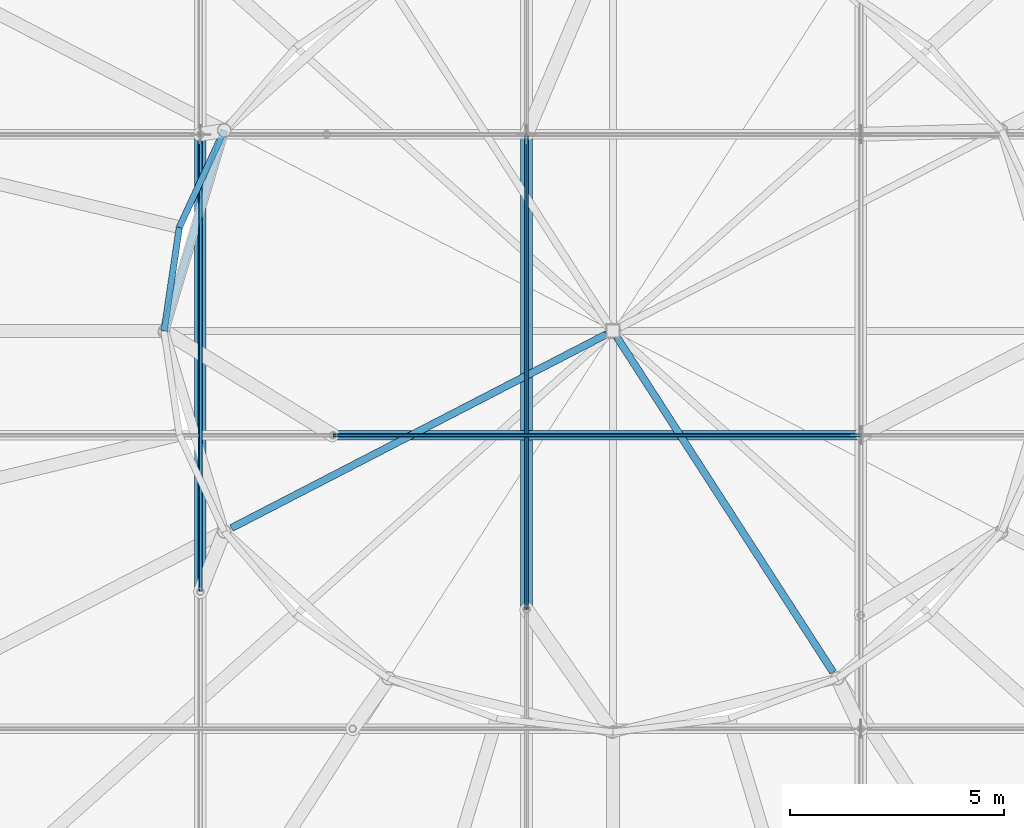
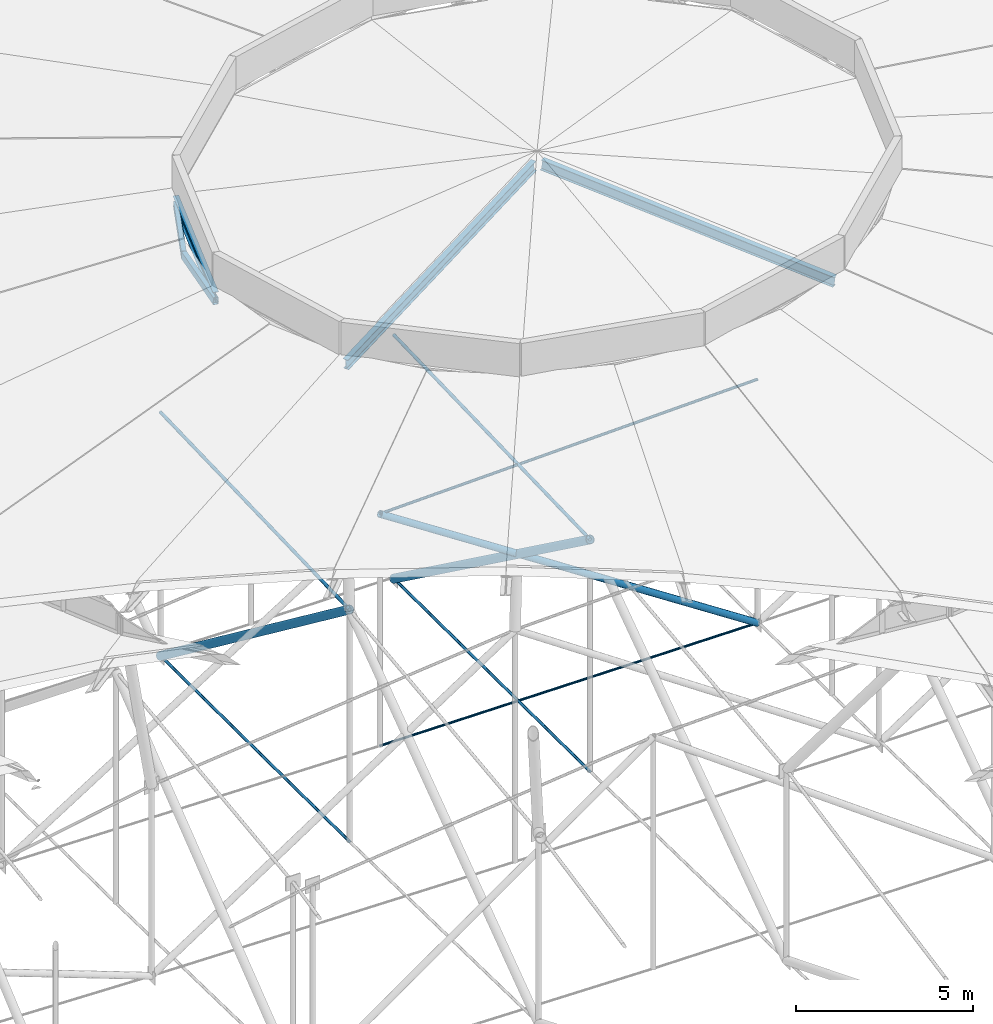
# One storey, part 52 of 173: 11 members, 3 beams.
"""IFC4 building model written with IfcOpenShell, lengths in metres."""

from ifc_helpers import new_model, si_unit, direction, frame, origin, origin_2d, place, context, subcontext, project, spatial, hollow_rectangle, circle, hollow_circle, i_section, extrude, material, material_profile, profile_set, type_object, element, save


model = new_model("IFC4")

# Units and contexts
model_context = context("Model", 3, precision=1e-05, world=origin(), true_north=direction((0.0, 1.0)))
body_context = subcontext(model_context, "Body", "Model", "MODEL_VIEW")
ifc_project = project(units=[si_unit("LENGTHUNIT", "METRE"), si_unit("AREAUNIT", "SQUARE_METRE"), si_unit("VOLUMEUNIT", "CUBIC_METRE"), si_unit("PLANEANGLEUNIT", "RADIAN"), si_unit("MASSUNIT", "GRAM", prefix="KILO")], contexts=[model_context])

# Site, building, storey
site_placement = place(None, origin())
site = spatial("IfcSite", under=ifc_project, at=site_placement, CompositionType="ELEMENT")
building_placement = place(site_placement, origin())
building = spatial("IfcBuilding", under=site, at=building_placement, Name="Glasvene Arena", CompositionType="ELEMENT")
storey_placement = place(building_placement, frame((0.0, 0.0, 28.800048828125)))
storey = spatial("IfcBuildingStorey", under=building, at=storey_placement, Name="RF", CompositionType="ELEMENT", Elevation=28.800048828125)

# Beams
ifc_material_1 = material(Name="Steel S355J2", Category="steel")
ifc_material_profile_1 = material_profile(ifc_material_1, i_section(OverallWidth=0.17138671875, OverallDepth=0.35498046875, WebThickness=0.00732421875, FlangeThickness=0.011474609375, FilletRadius=0.01025390625, at=origin_2d()), Name="UKB 356x171x51")
ifc_profile_set_1 = profile_set([ifc_material_profile_1], Name="Steel S355J2")
beam_type = type_object("IfcBeamType", Name="BM-JOIST-356", PredefinedType="JOIST", material=ifc_profile_set_1)
beam_1_placement = place(storey_placement, frame((77.106689453125, 73.10009765625, 13.079833984375), z_axis=(-0.286726945205, -0.958012347986, 0.0), x_axis=(0.958012347986, -0.286726945205, 0.0)))
element("IfcBeam", 1, at=beam_1_placement, inside=storey, type_object=beam_type, Name="Crown lantern perimeter ring beam 06", PredefinedType="JOIST", context=body_context, shape_type="SweptSolid", body=[
    extrude(i_section(OverallWidth=0.17138671875, OverallDepth=0.35498046875, WebThickness=0.00732421875, FlangeThickness=0.011474609375, FilletRadius=0.01025390625, at=origin_2d()), origin(), (0.0, 0.0, 1.0), 4.90625),
])
beam_2_placement = place(storey_placement, frame((77.292236328125, 63.79833984375, 12.994873046875), z_axis=(0.883173800121, 0.456247427714, 0.108822440166), x_axis=(-0.458973175956, 0.888450124516, 0.0)))
element("IfcBeam", 2, at=beam_2_placement, inside=storey, type_object=beam_type, Name="Crown lantern hip rafter 14", PredefinedType="JOIST", context=body_context, shape_type="SweptSolid", body=[
    extrude(i_section(OverallWidth=0.17138671875, OverallDepth=0.35498046875, WebThickness=0.00732421875, FlangeThickness=0.011474609375, FilletRadius=0.01025390625, at=origin_2d()), origin(), (0.0, 0.0, 1.0), 9.925048828125),
])
beam_3_placement = place(storey_placement, frame((91.338134765625, 60.43701171875, 12.994873046875), z_axis=(-0.538561769573, 0.834679637658, 0.115156948699), x_axis=(-0.840269691907, -0.542168649833, 0.0)))
element("IfcBeam", 3, at=beam_3_placement, inside=storey, type_object=beam_type, Name="Crown lantern hip rafter 20", PredefinedType="JOIST", context=body_context, shape_type="SweptSolid", body=[
    extrude(i_section(OverallWidth=0.17138671875, OverallDepth=0.35498046875, WebThickness=0.00732421875, FlangeThickness=0.011474609375, FilletRadius=0.01025390625, at=origin_2d()), origin(), (0.0, 0.0, 1.0), 9.379150390625),
])

# Members
ifc_material_2 = material(Name="High-strength steel spiral strand S460", Category="steel")
ifc_material_profile_2 = material_profile(ifc_material_2, circle(Radius=0.052490234375, at=origin_2d()), Name="LCSS D105")
ifc_profile_set_2 = profile_set([ifc_material_profile_2], Name="High-strength steel spiral strand S460")
member_type_1 = type_object("IfcMemberType", Name="MB-CABLE-105", PredefinedType="USERDEFINED", material=ifc_profile_set_2)
member_1_placement = place(storey_placement, frame((84.17822265625, 61.888427734375, 5.6904296875), z_axis=(0.0, 0.999560377256, 0.029648814829), x_axis=(-1.0, 0.0, 0.0)))
element("IfcMember", 4, at=member_1_placement, inside=storey, type_object=member_type_1, Name="Upper lens roof cable NS06-04", ObjectType="ROOF CABLE", PredefinedType="USERDEFINED", context=body_context, shape_type="SweptSolid", body=[
    extrude(circle(Radius=0.052490234375, at=origin_2d()), origin(), (0.0, 0.0, 1.0), 11.116455078125),
])
member_2_placement = place(storey_placement, frame((76.54931640625, 62.300537109375, 5.6904296875), z_axis=(0.0, 0.999525883852, 0.030789730592), x_axis=(-1.0, 0.0, 0.0)))
element("IfcMember", 5, at=member_2_placement, inside=storey, type_object=member_type_1, Name="Upper lens roof cable NS07-04", ObjectType="ROOF CABLE", PredefinedType="USERDEFINED", context=body_context, shape_type="SweptSolid", body=[
    extrude(circle(Radius=0.052490234375, at=origin_2d()), origin(), (0.0, 0.0, 1.0), 10.70458984375),
])
ifc_material_profile_3 = material_profile(ifc_material_2, circle(Radius=0.03759765625, at=origin_2d()), Name="LCSS D75")
ifc_profile_set_3 = profile_set([ifc_material_profile_3], Name="High-strength steel spiral strand S460")
member_type_2 = type_object("IfcMemberType", Name="MB-CABLE-75", PredefinedType="USERDEFINED", material=ifc_profile_set_3)
member_3_placement = place(storey_placement, frame((79.65380859375, 65.96044921875, -2.328125), z_axis=(0.999982985584, 0.0, -0.005833398868), x_axis=(0.0, 1.0, 0.0)))
element("IfcMember", 6, at=member_3_placement, inside=storey, type_object=member_type_2, Name="Lower stabilization roof cable EW03-04", ObjectType="ROOF CABLE", PredefinedType="USERDEFINED", context=body_context, shape_type="SweptSolid", body=[
    extrude(circle(Radius=0.03759765625, at=origin_2d()), origin(), (0.0, 0.0, 1.0), 12.346435546875),
])
ifc_material_profile_4 = material_profile(ifc_material_2, circle(Radius=0.044921875, at=origin_2d()), Name="LCSS D90")
ifc_profile_set_4 = profile_set([ifc_material_profile_4], Name="High-strength steel spiral strand S460")
member_type_3 = type_object("IfcMemberType", Name="MB-CABLE-90", PredefinedType="USERDEFINED", material=ifc_profile_set_4)
member_4_placement = place(storey_placement, frame((84.17822265625, 61.888427734375, -2.328125), z_axis=(0.0, 0.999978994674, -0.00648152843), x_axis=(-1.0, 0.0, 0.0)))
element("IfcMember", 7, at=member_4_placement, inside=storey, type_object=member_type_3, Name="Lower stabilization roof cable NS06-04", ObjectType="ROOF CABLE", PredefinedType="USERDEFINED", context=body_context, shape_type="SweptSolid", body=[
    extrude(circle(Radius=0.044921875, at=origin_2d()), origin(), (0.0, 0.0, 1.0), 11.11181640625),
])
member_5_placement = place(storey_placement, frame((76.54931640625, 62.300537109375, -2.328125), z_axis=(0.0, 0.999977345451, -0.006731165246), x_axis=(-1.0, 0.0, 0.0)))
element("IfcMember", 8, at=member_5_placement, inside=storey, type_object=member_type_3, Name="Lower stabilization roof cable NS07-04", ObjectType="ROOF CABLE", PredefinedType="USERDEFINED", context=body_context, shape_type="SweptSolid", body=[
    extrude(circle(Radius=0.044921875, at=origin_2d()), origin(), (0.0, 0.0, 1.0), 10.69970703125),
])
member_6_placement = place(storey_placement, frame((79.65380859375, 65.96044921875, 5.6904296875), z_axis=(0.999643860961, 0.0, 0.026686161999), x_axis=(0.0, 1.0, 0.0)))
element("IfcMember", 9, at=member_6_placement, inside=storey, type_object=member_type_3, Name="Upper lens roof cable EW03-04", ObjectType="ROOF CABLE", PredefinedType="USERDEFINED", context=body_context, shape_type="SweptSolid", body=[
    extrude(circle(Radius=0.044921875, at=origin_2d()), origin(), (0.0, 0.0, 1.0), 12.3505859375),
])
ifc_material_profile_5 = material_profile(ifc_material_1, hollow_rectangle(XDim=0.14990234375, YDim=0.25, WallThickness=0.010009765625, at=origin_2d()), Name="RHS 250x150x10.0")
ifc_profile_set_5 = profile_set([ifc_material_profile_5], Name="Steel S355J2")
member_type_4 = type_object("IfcMemberType", Name="MB-PURLIN-RHS250", PredefinedType="PURLIN", material=ifc_profile_set_5)
member_7_placement = place(storey_placement, frame((77.106689453125, 73.091552734375, 12.951904296875), z_axis=(-0.420510145965, -0.907287835882, 0.0), x_axis=(0.907287835882, -0.420510145965, 0.0)))
element("IfcMember", 10, at=member_7_placement, inside=storey, type_object=member_type_4, Name="Petal ring 5 ridge purlin 11", PredefinedType="PURLIN", context=body_context, shape_type="SweptSolid", body=[
    extrude(hollow_rectangle(XDim=0.14990234375, YDim=0.25, WallThickness=0.010009765625, at=origin_2d()), origin(), (0.0, 0.0, 1.0), 2.494140625),
])
member_8_placement = place(storey_placement, frame((76.057861328125, 70.82861328125, 12.951904296875), z_axis=(-0.145791740446, -0.989315302832, 0.0), x_axis=(0.989315302832, -0.145791740446, 0.0)))
element("IfcMember", 11, at=member_8_placement, inside=storey, type_object=member_type_4, Name="Petal ring 5 ridge purlin 12", PredefinedType="PURLIN", context=body_context, shape_type="SweptSolid", body=[
    extrude(hollow_rectangle(XDim=0.14990234375, YDim=0.25, WallThickness=0.010009765625, at=origin_2d()), origin(), (0.0, 0.0, 1.0), 2.454833984375),
])
ifc_material_profile_6 = material_profile(ifc_material_1, hollow_circle(Radius=0.109619140625, WallThickness=0.010009765625, at=origin_2d()), Name="CHS 219.1x10.0")
ifc_profile_set_6 = profile_set([ifc_material_profile_6], Name="Steel S355J2")
member_type_5 = type_object("IfcMemberType", Name="MB-WEB-CHS219", PredefinedType="BRACE", material=ifc_profile_set_6)
member_9_placement = place(storey_placement, frame((79.65380859375, 65.96044921875, 5.6904296875), z_axis=(0.836408575977, 0.0, -0.548106462316), x_axis=(0.0, 1.0, 0.0)))
element("IfcMember", 12, at=member_9_placement, inside=storey, type_object=member_type_5, Name="Cable-truss diagonal web strut EW03-04", PredefinedType="BRACE", context=body_context, shape_type="SweptSolid", body=[
    extrude(hollow_circle(Radius=0.109619140625, WallThickness=0.010009765625, at=origin_2d()), origin(), (0.0, 0.0, 1.0), 14.760986328125),
])
ifc_material_profile_7 = material_profile(ifc_material_1, hollow_circle(Radius=0.136474609375, WallThickness=0.012451171875, at=origin_2d()), Name="CHS 273.0x12.5")
ifc_profile_set_7 = profile_set([ifc_material_profile_7], Name="Steel S355J2")
member_type_6 = type_object("IfcMemberType", Name="MB-WEB-CHS273", PredefinedType="BRACE", material=ifc_profile_set_7)
member_10_placement = place(storey_placement, frame((84.17822265625, 61.888427734375, 5.6904296875), z_axis=(0.0, 0.808409519913, -0.588620461855), x_axis=(-1.0, 0.0, 0.0)))
element("IfcMember", 13, at=member_10_placement, inside=storey, type_object=member_type_6, Name="Cable-truss diagonal web strut NS06-04", PredefinedType="BRACE", context=body_context, shape_type="SweptSolid", body=[
    extrude(hollow_circle(Radius=0.136474609375, WallThickness=0.012451171875, at=origin_2d()), origin(), (0.0, 0.0, 1.0), 13.744873046875),
])
member_11_placement = place(storey_placement, frame((76.54931640625, 62.300537109375, 5.6904296875), z_axis=(0.0, 0.797632849678, -0.60314329733), x_axis=(-1.0, 0.0, 0.0)))
element("IfcMember", 14, at=member_11_placement, inside=storey, type_object=member_type_6, Name="Cable-truss diagonal web strut NS07-04", PredefinedType="BRACE", context=body_context, shape_type="SweptSolid", body=[
    extrude(hollow_circle(Radius=0.136474609375, WallThickness=0.012451171875, at=origin_2d()), origin(), (0.0, 0.0, 1.0), 13.4140625),
])

save(model, "model.ifc")
